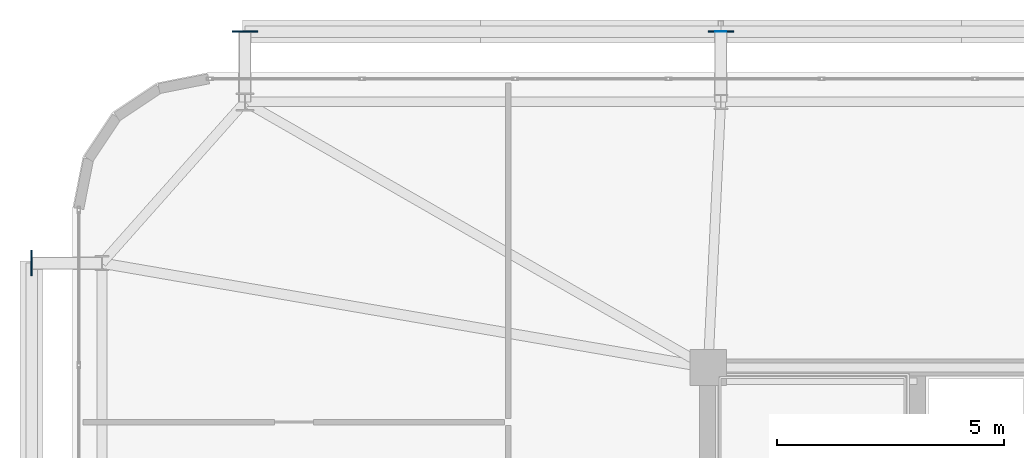
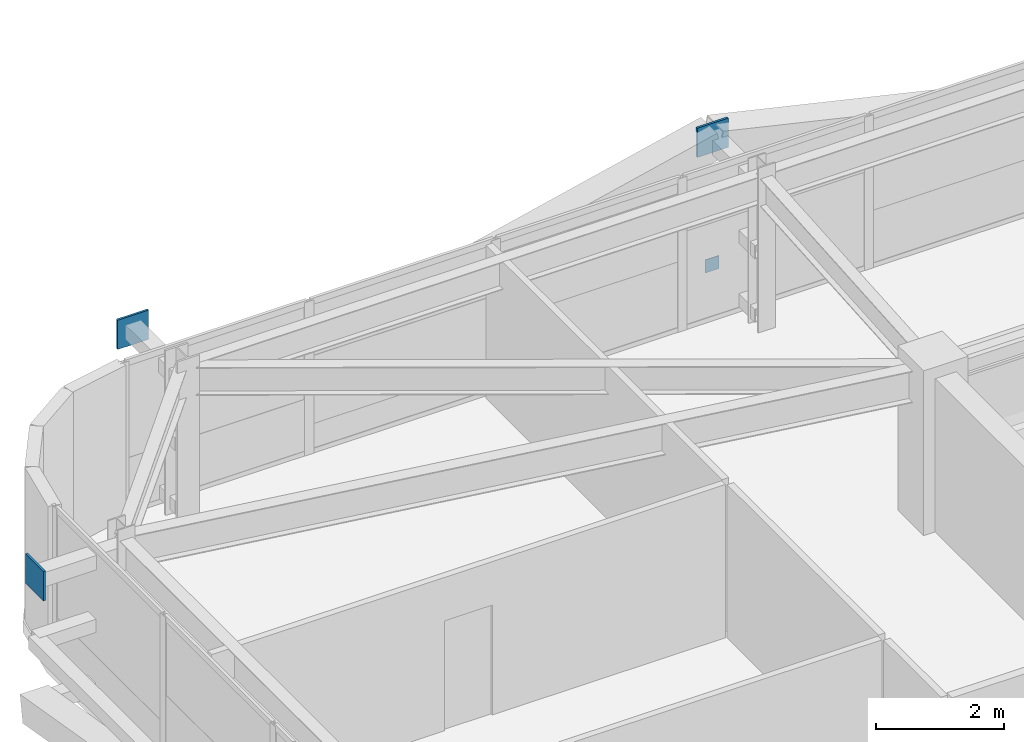
# One storey, part 49 of 58: 4 plates.
"""IFC4 building model written with IfcOpenShell, lengths in metres."""

from ifc_helpers import new_model, si_unit, direction, frame, origin, origin_2d, place, context, subcontext, project, spatial, rectangle, extrude, source, transform, mapped, material, layer, layer_set, type_object, element, save


model = new_model("IFC4")

# Units and contexts
model_context = context("Model", 3, precision=1e-05, world=origin(), true_north=direction((0.0, 1.0)))
body_context = subcontext(model_context, "Body", "Model", "MODEL_VIEW")
ifc_project = project(units=[si_unit("LENGTHUNIT", "METRE"), si_unit("AREAUNIT", "SQUARE_METRE"), si_unit("VOLUMEUNIT", "CUBIC_METRE"), si_unit("PLANEANGLEUNIT", "RADIAN"), si_unit("MASSUNIT", "GRAM", prefix="KILO")], contexts=[model_context])

# Site, building, storey
site_placement = place(None, origin())
site = spatial("IfcSite", under=ifc_project, at=site_placement, CompositionType="ELEMENT")
building_placement = place(site_placement, origin())
building = spatial("IfcBuilding", under=site, at=building_placement, Name="Taldren Reach Tower", CompositionType="ELEMENT")
storey_placement = place(building_placement, frame((0.0, 0.0, 35.699951171875)))
storey = spatial("IfcBuildingStorey", under=building, at=storey_placement, Name="L10", CompositionType="ELEMENT", Elevation=35.699951171875)

# Plates
ifc_material_1 = material(Name="Steel Gr 450 (C450L0)", Category="steel")
ifc_layer_1 = layer(ifc_material_1, 0.0400390625)
ifc_layer_set_1 = layer_set([ifc_layer_1], Name="Steel Gr 450 (C450L0)")
plate_type_1 = type_object("IfcPlateType", Name="PL-GUSSET-40", PredefinedType="SHEET", material=ifc_layer_set_1)
shared_shape_1 = source(origin(), body_context, "Body", "SweptSolid", [
    extrude(rectangle(XDim=0.56005859375, YDim=0.0400390625, at=origin_2d()), origin(), (0.0, 0.0, 1.0), 0.56005859375),
])
for number, where, z_axis, x_axis, name in (
    (1, (8.800048828125, 39.39990234375, 2.3701171875), (0.0, 0.0, 1.0), (1.0, 0.0, 0.0), "Exoskeleton star-node gusset plate B1-N1 L10"),
    (2, (19.280029296875, 39.39990234375, 2.3701171875), (0.0, 0.0, 1.0), (1.0, 0.0, 0.0), "Exoskeleton star-node gusset plate B1-N2 L10"),
    (3, (4.10009765625, 34.300048828125, 2.3701171875), (0.0, 0.0, 1.0), (0.0, 1.0, 0.0), "Exoskeleton star-node gusset plate B1-W3 L10"),
):
    element("IfcPlate", number, at=place(storey_placement, frame(where, z_axis=z_axis, x_axis=x_axis)), inside=storey, type_object=plate_type_1, Name=name, PredefinedType="SHEET", context=body_context, shape_type="MappedRepresentation", body=[
        mapped(shared_shape_1, transform((0.0, 0.0, 0.0), scale=1.0)),
    ])
ifc_material_2 = material(Name="Steel Gr 350 (C350L0)", Category="steel")
ifc_layer_2 = layer(ifc_material_2, 0.011962890625)
ifc_layer_set_2 = layer_set([ifc_layer_2], Name="Steel Gr 350 (C350L0)")
plate_type_2 = type_object("IfcPlateType", Name="PL-CAP-250", PredefinedType="SHEET", material=ifc_layer_set_2)
shared_shape_2 = source(origin(), body_context, "Body", "SweptSolid", [
    extrude(rectangle(XDim=0.25, YDim=0.011962890625, at=origin_2d()), origin(), (0.0, 0.0, 1.0), 0.25),
])
plate_placement = place(storey_placement, frame((19.280029296875, 39.406005859375, 0.094970703125), z_axis=(0.0, 0.0, 1.0), x_axis=(1.0, 0.0, 0.0)))
element("IfcPlate", 4, at=plate_placement, inside=storey, type_object=plate_type_2, Name="Tie strut end cap plate B1-N2 L10", PredefinedType="SHEET", context=body_context, shape_type="MappedRepresentation", body=[
    mapped(shared_shape_2, transform((0.0, 0.0, 0.0), scale=1.0)),
])

save(model, "model.ifc")
